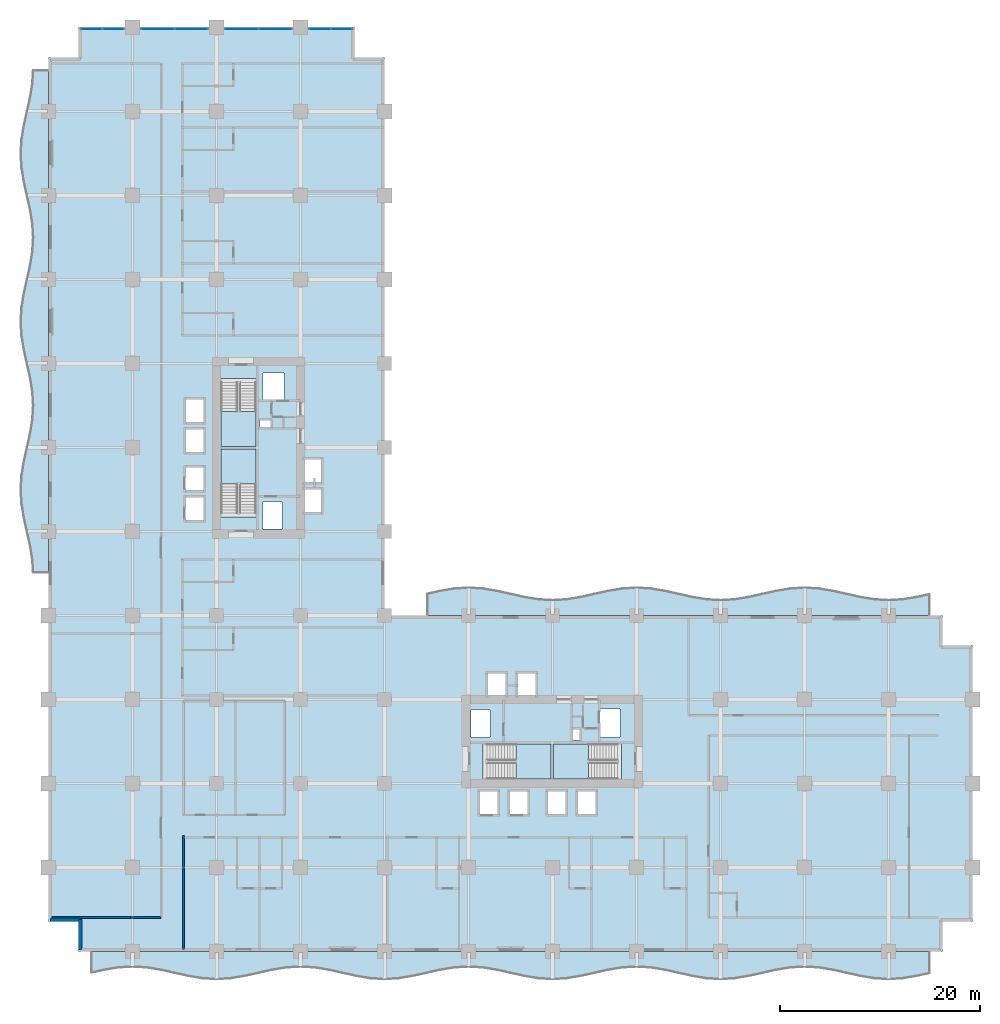
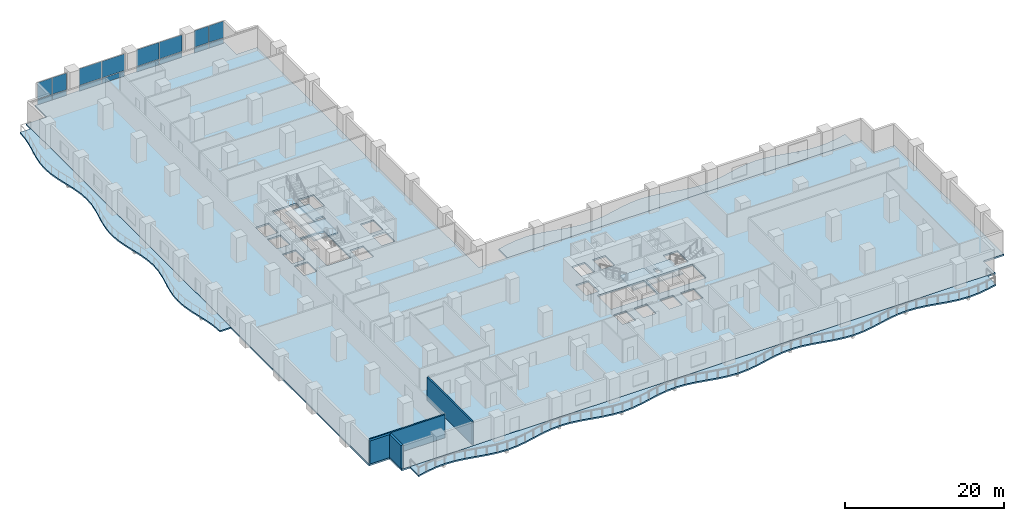
# One storey, part 6 of 22: 16 plates, 8 slabs, 4 walls, 8 elements without a shape of their own.
"""IFC4 building model written with IfcOpenShell, lengths in metres."""

from ifc_helpers import new_model, si_unit, direction, frame, frame_2d, origin, origin_2d, place, context, subcontext, project, spatial, polyline, rectangle, outline, extrude, material, layer, layer_set, type_object, element, aggregate, save


model = new_model("IFC4")

# Units and contexts
model_context = context("Model", 3, precision=1e-05, world=origin(), true_north=direction((0.0, 1.0)))
body_context = subcontext(model_context, "Body", "Model", "MODEL_VIEW")
ifc_project = project(units=[si_unit("LENGTHUNIT", "METRE"), si_unit("AREAUNIT", "SQUARE_METRE"), si_unit("VOLUMEUNIT", "CUBIC_METRE"), si_unit("PLANEANGLEUNIT", "RADIAN"), si_unit("MASSUNIT", "GRAM", prefix="KILO")], contexts=[model_context])

# Site, building, storey
site_placement = place(None, origin())
site = spatial("IfcSite", under=ifc_project, at=site_placement, CompositionType="ELEMENT")
building_placement = place(site_placement, origin())
building = spatial("IfcBuilding", under=site, at=building_placement, Name="Koriwani Terraces Tower", CompositionType="ELEMENT")
storey_placement = place(building_placement, frame((0.0, 0.0, 62.39990234375)))
storey = spatial("IfcBuildingStorey", under=building, at=storey_placement, Name="L14", CompositionType="ELEMENT", Elevation=62.39990234375)

# Curtain wall, plates
ifc_material_1 = material(Name="Anodised Bronze Aluminium", Category="aluminium")
ifc_layer_1 = layer(ifc_material_1, 0.179931640625, Name="Anodised Bronze Aluminium")
ifc_layer_set_1 = layer_set([ifc_layer_1], Name="Anodised Bronze Aluminium")
curtain_wall_type = type_object("IfcCurtainWallType", Name="CW_HOTEL_ZONE1", PredefinedType="NOTDEFINED", material=ifc_layer_set_1)
curtain_wall_1_placement = place(storey_placement, origin())
curtain_wall_1 = element("IfcCurtainWall", 1, at=curtain_wall_1_placement, inside=storey, type_object=curtain_wall_type, Name="L14 Unitised Curtain Wall (N_TIP) Bay 1", PredefinedType="NOTDEFINED")
ifc_material_2 = material(Name="Tempered Laminated Low-E Glass", Category="glass")
ifc_layer_2 = layer(ifc_material_2, 0.028076171875, Name="Tempered Laminated Low-E Glass")
ifc_layer_set_2 = layer_set([ifc_layer_2], Name="Tempered Laminated Low-E Glass")
plate_type = type_object("IfcPlateType", Name="CW_PANEL_VISION_28", PredefinedType="CURTAIN_PANEL", material=ifc_layer_set_2)
plate_1_placement = place(storey_placement, frame((4.297607421875, 92.22509765625, 0.06494140625), z_axis=(0.0, 0.0, 1.0), x_axis=(1.0, 0.0, 0.0)))
plate_1 = element("IfcPlate", 2, at=plate_1_placement, type_object=plate_type, Name="CW-Z1 panel 1.1", PredefinedType="CURTAIN_PANEL", context=body_context, shape_type="SweptSolid", body=[
    extrude(rectangle(XDim=2.094970703125, YDim=0.028076171875, at=origin_2d()), origin(), (0.0, 0.0, 1.0), 0.802490234375),
])
plate_2_placement = place(storey_placement, frame((4.297607421875, 92.22509765625, 0.9326171875), z_axis=(0.0, 0.0, 1.0), x_axis=(1.0, 0.0, 0.0)))
plate_2 = element("IfcPlate", 3, at=plate_2_placement, type_object=plate_type, Name="CW-Z1 panel 1.2", PredefinedType="CURTAIN_PANEL", context=body_context, shape_type="SweptSolid", body=[
    extrude(rectangle(XDim=2.094970703125, YDim=0.028076171875, at=origin_2d()), origin(), (0.0, 0.0, 1.0), 2.552490234375),
])
plate_3_placement = place(storey_placement, frame((6.467529296875, 92.22509765625, 0.06494140625), z_axis=(0.0, 0.0, 1.0), x_axis=(1.0, 0.0, 0.0)))
plate_3 = element("IfcPlate", 4, at=plate_3_placement, type_object=plate_type, Name="CW-Z1 panel 2.1", PredefinedType="CURTAIN_PANEL", context=body_context, shape_type="SweptSolid", body=[
    extrude(rectangle(XDim=2.094970703125, YDim=0.028076171875, at=origin_2d()), origin(), (0.0, 0.0, 1.0), 0.802490234375),
])
plate_4_placement = place(storey_placement, frame((6.467529296875, 92.22509765625, 0.9326171875), z_axis=(0.0, 0.0, 1.0), x_axis=(1.0, 0.0, 0.0)))
plate_4 = element("IfcPlate", 5, at=plate_4_placement, type_object=plate_type, Name="CW-Z1 panel 2.2", PredefinedType="CURTAIN_PANEL", context=body_context, shape_type="SweptSolid", body=[
    extrude(rectangle(XDim=2.094970703125, YDim=0.028076171875, at=origin_2d()), origin(), (0.0, 0.0, 1.0), 2.552490234375),
])
aggregate(curtain_wall_1, [plate_1, plate_2, plate_3, plate_4])

curtain_wall_2_placement = place(storey_placement, origin())
curtain_wall_2 = element("IfcCurtainWall", 6, at=curtain_wall_2_placement, inside=storey, type_object=curtain_wall_type, Name="L14 Unitised Curtain Wall (N_TIP) Bay 2", PredefinedType="NOTDEFINED")
plate_5_placement = place(storey_placement, frame((10.923828125, 92.22509765625, 0.06494140625), z_axis=(0.0, 0.0, 1.0), x_axis=(1.0, 0.0, 0.0)))
plate_5 = element("IfcPlate", 7, at=plate_5_placement, type_object=plate_type, Name="CW-Z1 panel 1.1", PredefinedType="CURTAIN_PANEL", context=body_context, shape_type="SweptSolid", body=[
    extrude(rectangle(XDim=3.277587890625, YDim=0.028076171875, at=origin_2d()), origin(), (0.0, 0.0, 1.0), 0.802490234375),
])
plate_6_placement = place(storey_placement, frame((10.923828125, 92.22509765625, 0.9326171875), z_axis=(0.0, 0.0, 1.0), x_axis=(1.0, 0.0, 0.0)))
plate_6 = element("IfcPlate", 8, at=plate_6_placement, type_object=plate_type, Name="CW-Z1 panel 1.2", PredefinedType="CURTAIN_PANEL", context=body_context, shape_type="SweptSolid", body=[
    extrude(rectangle(XDim=3.277587890625, YDim=0.028076171875, at=origin_2d()), origin(), (0.0, 0.0, 1.0), 2.552490234375),
])
plate_7_placement = place(storey_placement, frame((14.2763671875, 92.22509765625, 0.06494140625), z_axis=(0.0, 0.0, 1.0), x_axis=(1.0, 0.0, 0.0)))
plate_7 = element("IfcPlate", 9, at=plate_7_placement, type_object=plate_type, Name="CW-Z1 panel 2.1", PredefinedType="CURTAIN_PANEL", context=body_context, shape_type="SweptSolid", body=[
    extrude(rectangle(XDim=3.277587890625, YDim=0.028076171875, at=origin_2d()), origin(), (0.0, 0.0, 1.0), 0.802490234375),
])
plate_8_placement = place(storey_placement, frame((14.2763671875, 92.22509765625, 0.9326171875), z_axis=(0.0, 0.0, 1.0), x_axis=(1.0, 0.0, 0.0)))
plate_8 = element("IfcPlate", 10, at=plate_8_placement, type_object=plate_type, Name="CW-Z1 panel 2.2", PredefinedType="CURTAIN_PANEL", context=body_context, shape_type="SweptSolid", body=[
    extrude(rectangle(XDim=3.277587890625, YDim=0.028076171875, at=origin_2d()), origin(), (0.0, 0.0, 1.0), 2.552490234375),
])
aggregate(curtain_wall_2, [plate_5, plate_6, plate_7, plate_8])

curtain_wall_3_placement = place(storey_placement, origin())
curtain_wall_3 = element("IfcCurtainWall", 11, at=curtain_wall_3_placement, inside=storey, type_object=curtain_wall_type, Name="L14 Unitised Curtain Wall (N_TIP) Bay 3", PredefinedType="NOTDEFINED")
plate_9_placement = place(storey_placement, frame((19.32373046875, 92.22509765625, 0.06494140625), z_axis=(0.0, 0.0, 1.0), x_axis=(1.0, 0.0, 0.0)))
plate_9 = element("IfcPlate", 12, at=plate_9_placement, type_object=plate_type, Name="CW-Z1 panel 1.1", PredefinedType="CURTAIN_PANEL", context=body_context, shape_type="SweptSolid", body=[
    extrude(rectangle(XDim=3.277587890625, YDim=0.028076171875, at=origin_2d()), origin(), (0.0, 0.0, 1.0), 0.802490234375),
])
plate_10_placement = place(storey_placement, frame((19.32373046875, 92.22509765625, 0.9326171875), z_axis=(0.0, 0.0, 1.0), x_axis=(1.0, 0.0, 0.0)))
plate_10 = element("IfcPlate", 13, at=plate_10_placement, type_object=plate_type, Name="CW-Z1 panel 1.2", PredefinedType="CURTAIN_PANEL", context=body_context, shape_type="SweptSolid", body=[
    extrude(rectangle(XDim=3.277587890625, YDim=0.028076171875, at=origin_2d()), origin(), (0.0, 0.0, 1.0), 2.552490234375),
])
plate_11_placement = place(storey_placement, frame((22.67626953125, 92.22509765625, 0.06494140625), z_axis=(0.0, 0.0, 1.0), x_axis=(1.0, 0.0, 0.0)))
plate_11 = element("IfcPlate", 14, at=plate_11_placement, type_object=plate_type, Name="CW-Z1 panel 2.1", PredefinedType="CURTAIN_PANEL", context=body_context, shape_type="SweptSolid", body=[
    extrude(rectangle(XDim=3.277587890625, YDim=0.028076171875, at=origin_2d()), origin(), (0.0, 0.0, 1.0), 0.802490234375),
])
plate_12_placement = place(storey_placement, frame((22.67626953125, 92.22509765625, 0.9326171875), z_axis=(0.0, 0.0, 1.0), x_axis=(1.0, 0.0, 0.0)))
plate_12 = element("IfcPlate", 15, at=plate_12_placement, type_object=plate_type, Name="CW-Z1 panel 2.2", PredefinedType="CURTAIN_PANEL", context=body_context, shape_type="SweptSolid", body=[
    extrude(rectangle(XDim=3.277587890625, YDim=0.028076171875, at=origin_2d()), origin(), (0.0, 0.0, 1.0), 2.552490234375),
])
aggregate(curtain_wall_3, [plate_9, plate_10, plate_11, plate_12])

curtain_wall_4_placement = place(storey_placement, origin())
curtain_wall_4 = element("IfcCurtainWall", 16, at=curtain_wall_4_placement, inside=storey, type_object=curtain_wall_type, Name="L14 Unitised Curtain Wall (N_TIP) Bay 4", PredefinedType="NOTDEFINED")
plate_13_placement = place(storey_placement, frame((27.132568359375, 92.22509765625, 0.06494140625), z_axis=(0.0, 0.0, 1.0), x_axis=(1.0, 0.0, 0.0)))
plate_13 = element("IfcPlate", 17, at=plate_13_placement, type_object=plate_type, Name="CW-Z1 panel 1.1", PredefinedType="CURTAIN_PANEL", context=body_context, shape_type="SweptSolid", body=[
    extrude(rectangle(XDim=2.094970703125, YDim=0.028076171875, at=origin_2d()), origin(), (0.0, 0.0, 1.0), 0.802490234375),
])
plate_14_placement = place(storey_placement, frame((27.132568359375, 92.22509765625, 0.9326171875), z_axis=(0.0, 0.0, 1.0), x_axis=(1.0, 0.0, 0.0)))
plate_14 = element("IfcPlate", 18, at=plate_14_placement, type_object=plate_type, Name="CW-Z1 panel 1.2", PredefinedType="CURTAIN_PANEL", context=body_context, shape_type="SweptSolid", body=[
    extrude(rectangle(XDim=2.094970703125, YDim=0.028076171875, at=origin_2d()), origin(), (0.0, 0.0, 1.0), 2.552490234375),
])
plate_15_placement = place(storey_placement, frame((29.302490234375, 92.22509765625, 0.06494140625), z_axis=(0.0, 0.0, 1.0), x_axis=(1.0, 0.0, 0.0)))
plate_15 = element("IfcPlate", 19, at=plate_15_placement, type_object=plate_type, Name="CW-Z1 panel 2.1", PredefinedType="CURTAIN_PANEL", context=body_context, shape_type="SweptSolid", body=[
    extrude(rectangle(XDim=2.094970703125, YDim=0.028076171875, at=origin_2d()), origin(), (0.0, 0.0, 1.0), 0.802490234375),
])
plate_16_placement = place(storey_placement, frame((29.302490234375, 92.22509765625, 0.9326171875), z_axis=(0.0, 0.0, 1.0), x_axis=(1.0, 0.0, 0.0)))
plate_16 = element("IfcPlate", 20, at=plate_16_placement, type_object=plate_type, Name="CW-Z1 panel 2.2", PredefinedType="CURTAIN_PANEL", context=body_context, shape_type="SweptSolid", body=[
    extrude(rectangle(XDim=2.094970703125, YDim=0.028076171875, at=origin_2d()), origin(), (0.0, 0.0, 1.0), 2.552490234375),
])
aggregate(curtain_wall_4, [plate_13, plate_14, plate_15, plate_16])

# Slabs
ifc_material_3 = material(Name="Concrete C40/50", Category="concrete")
ifc_layer_3 = layer(ifc_material_3, 0.219970703125, Name="Concrete C40/50")
ifc_layer_set_3 = layer_set([ifc_layer_3], Name="Concrete C40/50")
slab_type_1 = type_object("IfcSlabType", Name="SLAB_BALCONY_220", PredefinedType="FLOOR", material=ifc_layer_set_3)
slab_1_placement = place(storey_placement, frame((0.0, 0.0, -0.219970703125)))
element("IfcSlab", 21, at=slab_1_placement, inside=storey, type_object=slab_type_1, Name="L14 Quilted Circular-Arc Balcony (S)", PredefinedType="FLOOR", context=body_context, shape_type="SweptSolid", body=[
    extrude(outline(polyline([(4.199951171875, 0.0), (5.60009765625, 0.0), (7.0, 0.0), (8.39990234375, 0.0), (9.800048828125, 0.0), (11.199951171875, 0.0), (12.60009765625, 0.0), (14.0, 0.0), (15.39990234375, 0.0), (16.800048828125, 0.0), (18.199951171875, 0.0), (19.60009765625, 0.0), (21.0, 0.0), (22.39990234375, 0.0), (23.800048828125, 0.0), (25.199951171875, 0.0), (26.60009765625, 0.0), (28.0, 0.0), (29.39990234375, 0.0), (30.800048828125, 0.0), (32.199951171875, 0.0), (33.60009765625, 0.0), (35.0, 0.0), (36.39990234375, 0.0), (37.800048828125, 0.0), (39.199951171875, 0.0), (40.60009765625, 0.0), (42.0, 0.0), (43.39990234375, 0.0), (44.800048828125, 0.0), (46.199951171875, 0.0), (47.60009765625, 0.0), (49.0, 0.0), (50.39990234375, 0.0), (51.800048828125, 0.0), (53.199951171875, 0.0), (54.60009765625, 0.0), (56.0, 0.0), (57.39990234375, 0.0), (58.800048828125, 0.0), (60.199951171875, 0.0), (61.60009765625, 0.0), (63.0, 0.0), (64.39990234375, 0.0), (65.800048828125, 0.0), (67.199951171875, 0.0), (68.60009765625, 0.0), (70.0, 0.0), (71.39990234375, 0.0), (72.800048828125, 0.0), (74.199951171875, 0.0), (75.60009765625, 0.0), (77.0, 0.0), (78.39990234375, 0.0), (79.800048828125, 0.0), (81.199951171875, 0.0), (82.60009765625, 0.0), (84.0, 0.0), (85.39990234375, 0.0), (86.800048828125, 0.0), (88.199951171875, 0.0), (88.199951171875, -2.22509765625), (86.800048828125, -2.53759765625), (85.39990234375, -2.766357421875), (84.0, -2.85009765625), (82.60009765625, -2.766357421875), (81.199951171875, -2.53759765625), (79.800048828125, -2.22509765625), (78.39990234375, -1.91259765625), (77.0, -1.68359375), (75.60009765625, -1.60009765625), (74.199951171875, -1.68359375), (72.800048828125, -1.91259765625), (71.39990234375, -2.22509765625), (70.0, -2.53759765625), (68.60009765625, -2.766357421875), (67.199951171875, -2.85009765625), (65.800048828125, -2.766357421875), (64.39990234375, -2.53759765625), (63.0, -2.22509765625), (61.60009765625, -1.91259765625), (60.199951171875, -1.68359375), (58.800048828125, -1.60009765625), (57.39990234375, -1.68359375), (56.0, -1.91259765625), (54.60009765625, -2.22509765625), (53.199951171875, -2.53759765625), (51.800048828125, -2.766357421875), (50.39990234375, -2.85009765625), (49.0, -2.766357421875), (47.60009765625, -2.53759765625), (46.199951171875, -2.22509765625), (44.800048828125, -1.91259765625), (43.39990234375, -1.68359375), (42.0, -1.60009765625), (40.60009765625, -1.68359375), (39.199951171875, -1.91259765625), (37.800048828125, -2.22509765625), (36.39990234375, -2.53759765625), (35.0, -2.766357421875), (33.60009765625, -2.85009765625), (32.199951171875, -2.766357421875), (30.800048828125, -2.53759765625), (29.39990234375, -2.22509765625), (28.0, -1.91259765625), (26.60009765625, -1.68359375), (25.199951171875, -1.60009765625), (23.800048828125, -1.68359375), (22.39990234375, -1.91259765625), (21.0, -2.22509765625), (19.60009765625, -2.53759765625), (18.199951171875, -2.766357421875), (16.800048828125, -2.85009765625), (15.39990234375, -2.766357421875), (14.0, -2.53759765625), (12.60009765625, -2.22509765625), (11.199951171875, -1.91259765625), (9.800048828125, -1.68359375), (8.39990234375, -1.60009765625), (7.0, -1.68359375), (5.60009765625, -1.91259765625), (4.199951171875, -2.22509765625), (4.199951171875, 0.0)])), origin(), (0.0, 0.0, 1.0), 0.219970703125),
])
slab_2_placement = place(storey_placement, frame((0.0, 0.0, -0.219970703125)))
element("IfcSlab", 22, at=slab_2_placement, inside=storey, type_object=slab_type_1, Name="L14 Quilted Circular-Arc Balcony (W)", PredefinedType="FLOOR", context=body_context, shape_type="SweptSolid", body=[
    extrude(outline(polyline([(0.0, 37.800048828125), (0.0, 39.199951171875), (0.0, 40.60009765625), (0.0, 42.0), (0.0, 43.39990234375), (0.0, 44.800048828125), (0.0, 46.199951171875), (0.0, 47.60009765625), (0.0, 49.0), (0.0, 50.39990234375), (0.0, 51.800048828125), (0.0, 53.199951171875), (0.0, 54.60009765625), (0.0, 56.0), (0.0, 57.39990234375), (0.0, 58.800048828125), (0.0, 60.199951171875), (0.0, 61.60009765625), (0.0, 63.0), (0.0, 64.39990234375), (0.0, 65.800048828125), (0.0, 67.199951171875), (0.0, 68.60009765625), (0.0, 70.0), (0.0, 71.39990234375), (0.0, 72.800048828125), (0.0, 74.199951171875), (0.0, 75.60009765625), (0.0, 77.0), (0.0, 78.39990234375), (0.0, 79.800048828125), (0.0, 81.199951171875), (0.0, 82.60009765625), (0.0, 84.0), (0.0, 85.39990234375), (0.0, 86.800048828125), (0.0, 88.199951171875), (-1.60009765625, 88.199951171875), (-1.68359375, 86.800048828125), (-1.91259765625, 85.39990234375), (-2.22509765625, 84.0), (-2.53759765625, 82.60009765625), (-2.766357421875, 81.199951171875), (-2.85009765625, 79.800048828125), (-2.766357421875, 78.39990234375), (-2.53759765625, 77.0), (-2.22509765625, 75.60009765625), (-1.91259765625, 74.199951171875), (-1.68359375, 72.800048828125), (-1.60009765625, 71.39990234375), (-1.68359375, 70.0), (-1.91259765625, 68.60009765625), (-2.22509765625, 67.199951171875), (-2.53759765625, 65.800048828125), (-2.766357421875, 64.39990234375), (-2.85009765625, 63.0), (-2.766357421875, 61.60009765625), (-2.53759765625, 60.199951171875), (-2.22509765625, 58.800048828125), (-1.91259765625, 57.39990234375), (-1.68359375, 56.0), (-1.60009765625, 54.60009765625), (-1.68359375, 53.199951171875), (-1.91259765625, 51.800048828125), (-2.22509765625, 50.39990234375), (-2.53759765625, 49.0), (-2.766357421875, 47.60009765625), (-2.85009765625, 46.199951171875), (-2.766357421875, 44.800048828125), (-2.53759765625, 43.39990234375), (-2.22509765625, 42.0), (-1.91259765625, 40.60009765625), (-1.68359375, 39.199951171875), (-1.60009765625, 37.800048828125), (0.0, 37.800048828125)])), origin(), (0.0, 0.0, 1.0), 0.219970703125),
])
slab_3_placement = place(storey_placement, frame((0.0, 0.0, -0.219970703125)))
element("IfcSlab", 23, at=slab_3_placement, inside=storey, type_object=slab_type_1, Name="L14 Quilted Circular-Arc Balcony (NE)", PredefinedType="FLOOR", context=body_context, shape_type="SweptSolid", body=[
    extrude(outline(polyline([(88.199951171875, 33.60009765625), (86.800048828125, 33.60009765625), (85.39990234375, 33.60009765625), (84.0, 33.60009765625), (82.60009765625, 33.60009765625), (81.199951171875, 33.60009765625), (79.800048828125, 33.60009765625), (78.39990234375, 33.60009765625), (77.0, 33.60009765625), (75.60009765625, 33.60009765625), (74.199951171875, 33.60009765625), (72.800048828125, 33.60009765625), (71.39990234375, 33.60009765625), (70.0, 33.60009765625), (68.60009765625, 33.60009765625), (67.199951171875, 33.60009765625), (65.800048828125, 33.60009765625), (64.39990234375, 33.60009765625), (63.0, 33.60009765625), (61.60009765625, 33.60009765625), (60.199951171875, 33.60009765625), (58.800048828125, 33.60009765625), (57.39990234375, 33.60009765625), (56.0, 33.60009765625), (54.60009765625, 33.60009765625), (53.199951171875, 33.60009765625), (51.800048828125, 33.60009765625), (50.39990234375, 33.60009765625), (49.0, 33.60009765625), (47.60009765625, 33.60009765625), (46.199951171875, 33.60009765625), (44.800048828125, 33.60009765625), (43.39990234375, 33.60009765625), (42.0, 33.60009765625), (40.60009765625, 33.60009765625), (39.199951171875, 33.60009765625), (37.800048828125, 33.60009765625), (37.800048828125, 35.824951171875), (39.199951171875, 36.137451171875), (40.60009765625, 36.3662109375), (42.0, 36.449951171875), (43.39990234375, 36.3662109375), (44.800048828125, 36.137451171875), (46.199951171875, 35.824951171875), (47.60009765625, 35.512451171875), (49.0, 35.28369140625), (50.39990234375, 35.199951171875), (51.800048828125, 35.28369140625), (53.199951171875, 35.512451171875), (54.60009765625, 35.824951171875), (56.0, 36.137451171875), (57.39990234375, 36.3662109375), (58.800048828125, 36.449951171875), (60.199951171875, 36.3662109375), (61.60009765625, 36.137451171875), (63.0, 35.824951171875), (64.39990234375, 35.512451171875), (65.800048828125, 35.28369140625), (67.199951171875, 35.199951171875), (68.60009765625, 35.28369140625), (70.0, 35.512451171875), (71.39990234375, 35.824951171875), (72.800048828125, 36.137451171875), (74.199951171875, 36.3662109375), (75.60009765625, 36.449951171875), (77.0, 36.3662109375), (78.39990234375, 36.137451171875), (79.800048828125, 35.824951171875), (81.199951171875, 35.512451171875), (82.60009765625, 35.28369140625), (84.0, 35.199951171875), (85.39990234375, 35.28369140625), (86.800048828125, 35.512451171875), (88.199951171875, 35.824951171875), (88.199951171875, 33.60009765625)])), origin(), (0.0, 0.0, 1.0), 0.219970703125),
])

# Stair, slab
stair_type = type_object("IfcStairType", Name="STAIR_CORE_DOGLEG_1650", PredefinedType="TWO_STRAIGHT_RUN_STAIR", material=ifc_material_3)
stair_1_placement = place(storey_placement, origin())
stair_1 = element("IfcStair", 24, at=stair_1_placement, inside=storey, type_object=stair_type, Name="L14 West Core Exit Stair 1", PredefinedType="HALF_TURN_STAIR")
ifc_layer_4 = layer(ifc_material_3, 0.199951171875, Name="Concrete C40/50")
ifc_layer_set_4 = layer_set([ifc_layer_4], Name="Concrete C40/50")
slab_type_2 = type_object("IfcSlabType", Name="SLAB_STAIR_LANDING_200", PredefinedType="LANDING", material=ifc_layer_set_4)
slab_4_placement = place(storey_placement, frame((0.0, 0.0, 1.7001953125)))
slab_4 = element("IfcSlab", 25, at=slab_4_placement, type_object=slab_type_2, Name="ST-W1 landing 1", PredefinedType="LANDING", context=body_context, shape_type="SweptSolid", body=[
    extrude(outline(polyline([(20.75, 46.75), (20.75, 50.25), (17.25, 50.25), (17.25, 46.75), (20.75, 46.75)])), origin(), (0.0, 0.0, 1.0), 0.199951171875),
])
aggregate(stair_1, [slab_4])

stair_2_placement = place(storey_placement, origin())
stair_2 = element("IfcStair", 26, at=stair_2_placement, inside=storey, type_object=stair_type, Name="L14 West Core Exit Stair 2", PredefinedType="HALF_TURN_STAIR")
slab_5_placement = place(storey_placement, frame((0.0, 0.0, 1.7001953125)))
slab_5 = element("IfcSlab", 27, at=slab_5_placement, type_object=slab_type_2, Name="ST-W2 landing 1", PredefinedType="LANDING", context=body_context, shape_type="SweptSolid", body=[
    extrude(outline(polyline([(17.25, 54.0), (17.25, 50.5), (20.75, 50.5), (20.75, 54.0), (17.25, 54.0)])), origin(), (0.0, 0.0, 1.0), 0.199951171875),
])
aggregate(stair_2, [slab_5])

stair_3_placement = place(storey_placement, origin())
stair_3 = element("IfcStair", 28, at=stair_3_placement, inside=storey, type_object=stair_type, Name="L14 East Core Exit Stair 1", PredefinedType="HALF_TURN_STAIR")
slab_6_placement = place(storey_placement, frame((0.0, 0.0, 1.7001953125)))
slab_6 = element("IfcSlab", 29, at=slab_6_placement, type_object=slab_type_2, Name="ST-E1 landing 1", PredefinedType="LANDING", context=body_context, shape_type="SweptSolid", body=[
    extrude(outline(polyline([(46.75, 17.25), (50.25, 17.25), (50.25, 20.75), (46.75, 20.75), (46.75, 17.25)])), origin(), (0.0, 0.0, 1.0), 0.199951171875),
])
aggregate(stair_3, [slab_6])

stair_4_placement = place(storey_placement, origin())
stair_4 = element("IfcStair", 30, at=stair_4_placement, inside=storey, type_object=stair_type, Name="L14 East Core Exit Stair 2", PredefinedType="HALF_TURN_STAIR")
slab_7_placement = place(storey_placement, frame((0.0, 0.0, 1.7001953125)))
slab_7 = element("IfcSlab", 31, at=slab_7_placement, type_object=slab_type_2, Name="ST-E2 landing 1", PredefinedType="LANDING", context=body_context, shape_type="SweptSolid", body=[
    extrude(outline(polyline([(54.0, 20.75), (50.5, 20.75), (50.5, 17.25), (54.0, 17.25), (54.0, 20.75)])), origin(), (0.0, 0.0, 1.0), 0.199951171875),
])
aggregate(stair_4, [slab_7])

# Slab
ifc_layer_5 = layer(ifc_material_3, 0.25, Name="Concrete C40/50")
ifc_layer_set_5 = layer_set([ifc_layer_5], Name="Concrete C40/50")
slab_type_3 = type_object("IfcSlabType", Name="SLAB_TOWER_TYP_250", PredefinedType="FLOOR", material=ifc_layer_set_5)
slab_8_placement = place(storey_placement, frame((0.0, 0.0, -0.25)))
element("IfcSlab", 32, at=slab_8_placement, inside=storey, type_object=slab_type_3, Name="L14 Structural Floor Slab", PredefinedType="FLOOR", context=body_context, shape_type="SweptSolid", body=[
    extrude(outline(polyline([(3.0, 0.0), (89.39990234375, 0.0), (89.39990234375, 3.0), (92.39990234375, 3.0), (92.39990234375, 30.60009765625), (89.39990234375, 30.60009765625), (89.39990234375, 33.60009765625), (33.60009765625, 33.60009765625), (33.60009765625, 89.39990234375), (30.60009765625, 89.39990234375), (30.60009765625, 92.39990234375), (3.0, 92.39990234375), (3.0, 89.39990234375), (0.0, 89.39990234375), (0.0, 3.0), (3.0, 3.0), (3.0, 0.0)]), holes=[polyline([(17.25, 43.4599609375), (20.75, 43.4599609375), (20.75, 50.25), (17.25, 50.25), (17.25, 43.4599609375)]), polyline([(17.25, 50.5), (20.75, 50.5), (20.75, 57.2900390625), (17.25, 57.2900390625), (17.25, 50.5)]), polyline([(43.4599609375, 17.25), (50.25, 17.25), (50.25, 20.75), (43.4599609375, 20.75), (43.4599609375, 17.25)]), polyline([(50.5, 17.25), (57.2900390625, 17.25), (57.2900390625, 20.75), (50.5, 20.75), (50.5, 17.25)]), polyline([(13.64990234375, 43.050048828125), (15.550048828125, 43.050048828125), (15.550048828125, 45.449951171875), (13.64990234375, 45.449951171875), (13.64990234375, 43.050048828125)]), polyline([(13.64990234375, 46.050048828125), (15.550048828125, 46.050048828125), (15.550048828125, 48.449951171875), (13.64990234375, 48.449951171875), (13.64990234375, 46.050048828125)]), polyline([(43.050048828125, 13.64990234375), (44.949951171875, 13.64990234375), (44.949951171875, 16.050048828125), (43.050048828125, 16.050048828125), (43.050048828125, 13.64990234375)]), polyline([(46.050048828125, 13.64990234375), (47.949951171875, 13.64990234375), (47.949951171875, 16.050048828125), (46.050048828125, 16.050048828125), (46.050048828125, 13.64990234375)]), polyline([(13.64990234375, 49.85009765625), (15.550048828125, 49.85009765625), (15.550048828125, 52.25), (13.64990234375, 52.25), (13.64990234375, 49.85009765625)]), polyline([(13.64990234375, 52.85009765625), (15.550048828125, 52.85009765625), (15.550048828125, 55.25), (13.64990234375, 55.25), (13.64990234375, 52.85009765625)]), polyline([(49.85009765625, 13.64990234375), (51.75, 13.64990234375), (51.75, 16.050048828125), (49.85009765625, 16.050048828125), (49.85009765625, 13.64990234375)]), polyline([(52.85009765625, 13.64990234375), (54.75, 13.64990234375), (54.75, 16.050048828125), (52.85009765625, 16.050048828125), (52.85009765625, 13.64990234375)]), polyline([(25.449951171875, 43.85009765625), (27.35009765625, 43.85009765625), (27.35009765625, 46.25), (25.449951171875, 46.25), (25.449951171875, 43.85009765625)]), polyline([(25.449951171875, 46.85009765625), (27.35009765625, 46.85009765625), (27.35009765625, 49.25), (25.449951171875, 49.25), (25.449951171875, 46.85009765625)]), polyline([(43.85009765625, 25.449951171875), (45.75, 25.449951171875), (45.75, 27.85009765625), (43.85009765625, 27.85009765625), (43.85009765625, 25.449951171875)]), polyline([(46.85009765625, 25.449951171875), (48.75, 25.449951171875), (48.75, 27.85009765625), (46.85009765625, 27.85009765625), (46.85009765625, 25.449951171875)]), polyline([(21.449951171875, 55.050048828125), (23.550048828125, 55.050048828125), (23.550048828125, 57.85009765625), (21.449951171875, 57.85009765625), (21.449951171875, 55.050048828125)]), polyline([(55.050048828125, 21.449951171875), (57.14990234375, 21.449951171875), (57.14990234375, 24.25), (55.050048828125, 24.25), (55.050048828125, 21.449951171875)]), polyline([(21.449951171875, 42.25), (23.35009765625, 42.25), (23.35009765625, 44.949951171875), (21.449951171875, 44.949951171875), (21.449951171875, 42.25)]), polyline([(42.25, 21.449951171875), (44.14990234375, 21.449951171875), (44.14990234375, 24.14990234375), (42.25, 24.14990234375), (42.25, 21.449951171875)]), polyline([(21.14990234375, 52.419921875), (22.219970703125, 52.419921875), (22.219970703125, 53.179931640625), (21.14990234375, 53.179931640625), (21.14990234375, 52.419921875)]), polyline([(52.419921875, 21.14990234375), (53.179931640625, 21.14990234375), (53.179931640625, 22.219970703125), (52.419921875, 22.219970703125), (52.419921875, 21.14990234375)])]), origin(), (0.0, 0.0, 1.0), 0.25),
])

# Walls
ifc_material_4 = material(Name="Autoclaved Cellular Concrete Blockwork", Category="masonry")
ifc_layer_6 = layer(ifc_material_4, 0.219970703125, Name="Autoclaved Cellular Concrete Blockwork")
ifc_layer_set_6 = layer_set([ifc_layer_6], Name="Autoclaved Cellular Concrete Blockwork")
wall_type_1 = type_object("IfcWallType", Name="WALL_DEMISING_220", PredefinedType="PARTITIONING", material=ifc_layer_set_6)
wall_1_placement = place(storey_placement, frame((0.300048828125, 3.39990234375, 0.0), z_axis=(0.0, 0.0, 1.0), x_axis=(1.0, 0.0, 0.0)))
element("IfcWall", 33, at=wall_1_placement, inside=storey, type_object=wall_type_1, Name="L14 Interior Wall WZ1NWCLS-L14", PredefinedType="PARTITIONING", context=body_context, shape_type="SweptSolid", body=[
    extrude(rectangle(XDim=10.949951171875, YDim=0.219970703125, at=frame_2d((5.47509765625, 0.0))), origin(), (0.0, 0.0, 1.0), 3.550048828125),
])
wall_2_placement = place(storey_placement, frame((13.5, 0.199951171875, 0.0), z_axis=(0.0, 0.0, 1.0), x_axis=(0.0, 1.0, 0.0)))
element("IfcWall", 34, at=wall_2_placement, inside=storey, type_object=wall_type_1, Name="L14 Interior Wall WDEM-L14-SW-0", PredefinedType="PARTITIONING", context=body_context, shape_type="SweptSolid", body=[
    extrude(rectangle(XDim=11.380126953125, YDim=0.219970703125, at=frame_2d((5.68994140625, 0.0))), origin(), (0.0, 0.0, 1.0), 3.550048828125),
])
ifc_material_5 = material(Name="Concrete C50/60", Category="concrete")
ifc_layer_7 = layer(ifc_material_5, 0.35009765625, Name="Concrete C50/60")
ifc_layer_set_7 = layer_set([ifc_layer_7], Name="Concrete C50/60")
wall_type_2 = type_object("IfcWallType", Name="WALL_EXT_BRUTALIST_350", PredefinedType="STANDARD", material=ifc_layer_set_7)
for number, where, z_axis, x_axis, name in (
    (35, (3.175048828125, 0.175048828125, 0.0), (0.0, 0.0, 1.0), (0.0, 1.0, 0.0), "L14 Fair-Faced Brutalist Exterior Wall (N0)"),
    (36, (3.175048828125, 3.175048828125, 0.0), (0.0, 0.0, 1.0), (-1.0, 0.0, 0.0), "L14 Fair-Faced Brutalist Exterior Wall (N1)"),
):
    element("IfcWall", number, at=place(storey_placement, frame(where, z_axis=z_axis, x_axis=x_axis)), inside=storey, type_object=wall_type_2, Name=name, PredefinedType="STANDARD", context=body_context, shape_type="SweptSolid", body=[
        extrude(rectangle(XDim=3.0, YDim=0.35009765625, at=frame_2d((1.5, 0.0))), origin(), (0.0, 0.0, 1.0), 3.550048828125),
    ])

save(model, "model.ifc")
